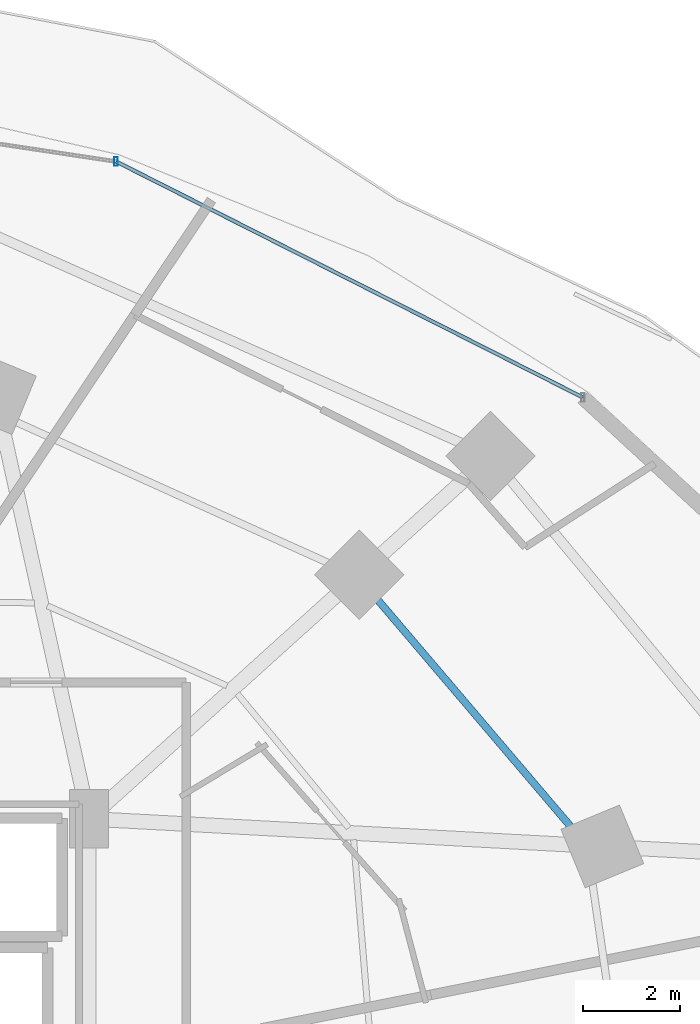
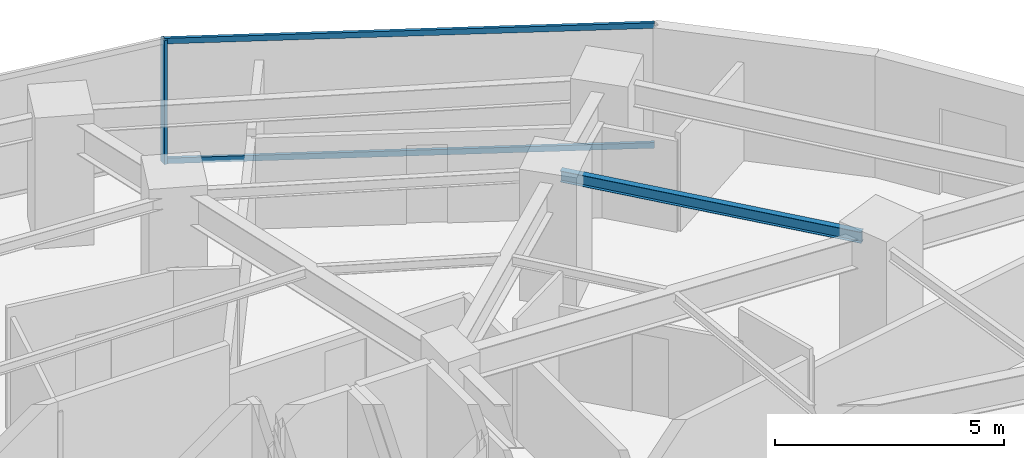
# One storey, part 23 of 33: 3 members, 1 beam, 1 element without a shape of its own.
"""IFC4 building model written with IfcOpenShell, lengths in metres."""

from ifc_helpers import new_model, si_unit, direction, frame, origin, origin_2d, place, context, subcontext, project, spatial, hollow_rectangle, i_section, extrude, material, material_profile, profile_set, type_object, element, aggregate, save


model = new_model("IFC4")

# Units and contexts
model_context = context("Model", 3, precision=1e-05, world=origin(), true_north=direction((0.0, 1.0)))
body_context = subcontext(model_context, "Body", "Model", "MODEL_VIEW")
ifc_project = project(units=[si_unit("LENGTHUNIT", "METRE"), si_unit("AREAUNIT", "SQUARE_METRE"), si_unit("VOLUMEUNIT", "CUBIC_METRE"), si_unit("PLANEANGLEUNIT", "RADIAN"), si_unit("MASSUNIT", "GRAM", prefix="KILO")], contexts=[model_context])

# Site, building, storey
site_placement = place(None, origin())
site = spatial("IfcSite", under=ifc_project, at=site_placement, CompositionType="ELEMENT")
building_placement = place(site_placement, origin())
building = spatial("IfcBuilding", under=site, at=building_placement, Name="Vorneva Point Tower", CompositionType="ELEMENT")
storey_placement = place(building_placement, frame((0.0, 0.0, 34.5)))
storey = spatial("IfcBuildingStorey", under=building, at=storey_placement, Name="L08", CompositionType="ELEMENT", Elevation=34.5)

# Beam
ifc_material_1 = material(Name="Steel S355", Category="steel")
ifc_material_profile_1 = material_profile(ifc_material_1, i_section(OverallWidth=0.14892578125, OverallDepth=0.298095703125, WebThickness=0.005615234375, FlangeThickness=0.008056640625, at=origin_2d()), Name="30B1")
ifc_profile_set_1 = profile_set([ifc_material_profile_1], Name="Steel S355")
beam_type = type_object("IfcBeamType", Name="BM-JST-30B1", PredefinedType="JOIST", material=ifc_profile_set_1)
beam_placement = place(storey_placement, frame((58.8896484375, 32.704345703125, 3.091064453125), z_axis=(-0.648222881184, 0.761450652577, 0.0), x_axis=(-0.761450652577, -0.648222881184, 0.0)))
element("IfcBeam", 1, at=beam_placement, inside=storey, type_object=beam_type, Name="L08 Secondary Floor Beam 1.02", PredefinedType="JOIST", context=body_context, shape_type="SweptSolid", body=[
    extrude(i_section(OverallWidth=0.14892578125, OverallDepth=0.298095703125, WebThickness=0.005615234375, FlangeThickness=0.008056640625, at=origin_2d()), origin(), (0.0, 0.0, 1.0), 6.992431640625),
])

# Curtain wall, members
ifc_material_2 = material(Name="Pale anodised aluminium", Category="aluminium")
curtain_wall_type = type_object("IfcCurtainWallType", Name="CW-HTL-SYS", PredefinedType="NOTDEFINED", material=ifc_material_2)
curtain_wall_placement = place(storey_placement, origin())
curtain_wall = element("IfcCurtainWall", 2, at=curtain_wall_placement, inside=storey, type_object=curtain_wall_type, Name="L08 Unitised Curtain Wall CW-L08-R02", PredefinedType="NOTDEFINED")
ifc_material_profile_2 = material_profile(ifc_material_2, hollow_rectangle(XDim=0.074951171875, YDim=0.179931640625, WallThickness=0.00390625, at=origin_2d()), Name="AL-MUL 180x75x4")
ifc_profile_set_2 = profile_set([ifc_material_profile_2], Name="Pale anodised aluminium")
member_type_1 = type_object("IfcMemberType", Name="CW-MUL-180", PredefinedType="MULLION", material=ifc_profile_set_2)
member_1_placement = place(storey_placement, frame((49.308349609375, 46.648681640625, -0.0400390625), z_axis=(0.0, 0.0, 1.0), x_axis=(1.0, 0.0, 0.0)))
member_1 = element("IfcMember", 3, at=member_1_placement, type_object=member_type_1, Name="CW-L08-R02 Mullion 02", PredefinedType="MULLION", context=body_context, shape_type="SweptSolid", body=[
    extrude(hollow_rectangle(XDim=0.074951171875, YDim=0.179931640625, WallThickness=0.00390625, at=origin_2d()), origin(), (0.0, 0.0, 1.0), 3.31005859375),
])
ifc_material_profile_3 = material_profile(ifc_material_2, hollow_rectangle(XDim=0.074951171875, YDim=0.14990234375, WallThickness=0.00390625, at=origin_2d()), Name="AL-TRN 150x75x4")
ifc_profile_set_3 = profile_set([ifc_material_profile_3], Name="Pale anodised aluminium")
member_type_2 = type_object("IfcMemberType", Name="CW-TRN-150", PredefinedType="USERDEFINED", material=ifc_profile_set_3)
member_2_placement = place(storey_placement, frame((58.89501953125, 41.8037109375, 0.02001953125), z_axis=(-0.892496057621, 0.451055192999, 0.0), x_axis=(-0.451055192999, -0.892496057621, 0.0)))
member_2 = element("IfcMember", 4, at=member_2_placement, type_object=member_type_2, Name="CW-L08-R02 Transom 01.1", ObjectType="TRANSOM", PredefinedType="USERDEFINED", context=body_context, shape_type="SweptSolid", body=[
    extrude(hollow_rectangle(XDim=0.074951171875, YDim=0.14990234375, WallThickness=0.00390625, at=origin_2d()), origin(), (0.0, 0.0, 1.0), 10.741455078125),
])
member_3_placement = place(storey_placement, frame((58.89501953125, 41.8037109375, 3.219970703125), z_axis=(-0.892496057621, 0.451055192999, 0.0), x_axis=(-0.451055192999, -0.892496057621, 0.0)))
member_3 = element("IfcMember", 5, at=member_3_placement, type_object=member_type_2, Name="CW-L08-R02 Transom 01.2", ObjectType="TRANSOM", PredefinedType="USERDEFINED", context=body_context, shape_type="SweptSolid", body=[
    extrude(hollow_rectangle(XDim=0.074951171875, YDim=0.14990234375, WallThickness=0.00390625, at=origin_2d()), origin(), (0.0, 0.0, 1.0), 10.741455078125),
])
aggregate(curtain_wall, [member_1, member_2, member_3])

save(model, "model.ifc")
